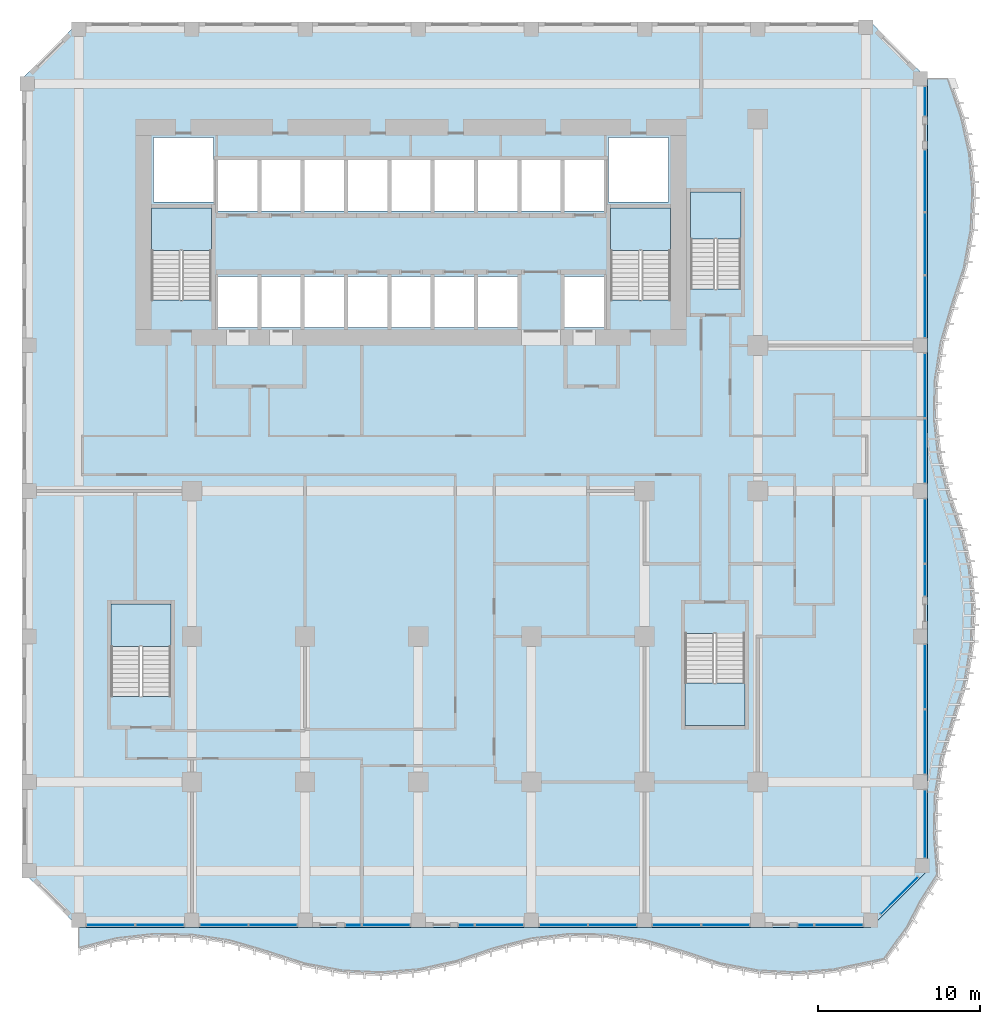
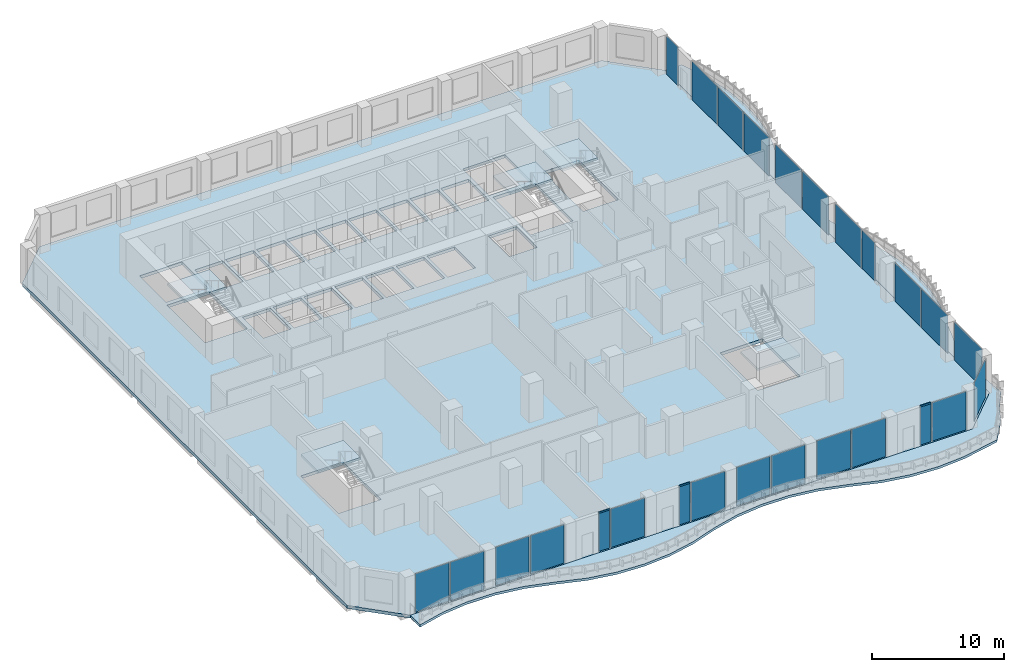
# One storey, part 11 of 21: 26 plates, 7 slabs, 3 members, 31 elements without a shape of their own.
"""IFC4 building model written with IfcOpenShell, lengths in metres."""

import ifcopenshell
import ifcopenshell.guid

model = None  # the IFC model being written
_history = None  # IfcOwnerHistory: only IFC2X3 demands one
_inside = {}  # id of a spatial element -> (the spatial element, [elements in it])
_under = {}  # id of a project, library or spatial element -> (it, [spatial elements below it])
_declared = {}  # id of a project -> (the project, [libraries it declares])
_typed = {}  # id of a type object -> (the type object, [elements of that type])
_made_of = {}  # id of a material, layer set ... -> (it, [elements and type objects made of it])


def new_model(schema):
    """Start an empty IFC model of exactly this schema.

    Asked for "IFC4X3", IfcOpenShell would pick the latest addendum, in which some entities
    have other attributes; the version numbers below select the first issue.
    IFC2X3 requires an IfcOwnerHistory on every rooted entity: one is made here for all.
    """
    global model, _history
    if schema == "IFC4X3":
        model = ifcopenshell.file(schema_version=(4, 3, 0, 0))
    else:
        model = ifcopenshell.file(schema=schema)
    _inside.clear()
    _under.clear()
    _declared.clear()
    _typed.clear()
    _made_of.clear()
    _history = None
    if model.schema == "IFC2X3":
        org = make("IfcOrganization", Name="unknown")
        user = make(
            "IfcPersonAndOrganization",
            ThePerson=make("IfcPerson", FamilyName="unknown"),
            TheOrganization=org,
        )
        app = make(
            "IfcApplication",
            ApplicationDeveloper=org,
            Version="unknown",
            ApplicationFullName="unknown",
            ApplicationIdentifier="unknown",
        )
        _history = make(
            "IfcOwnerHistory",
            OwningUser=user,
            OwningApplication=app,
            ChangeAction="ADDED",
            CreationDate=0,
        )
    return model


def make(cls, **values):
    """One entity of the class cls with the attributes given. An attribute that is None is left unset."""
    return model.create_entity(
        cls, **{name: value for name, value in values.items() if value is not None}
    )


def rooted(cls, **values):
    """An entity with a GlobalId (a new one), such as an element, a storey or a relation."""
    return make(cls, GlobalId=ifcopenshell.guid.new(), OwnerHistory=_history, **values)


def si_unit(unit_type, name, prefix=None):
    """IfcSIUnit, for example si_unit("LENGTHUNIT", "METRE", prefix="MILLI")."""
    return make("IfcSIUnit", UnitType=unit_type, Prefix=prefix, Name=name)


def assignment(units):
    """IfcUnitAssignment: the units of a project."""
    return None if units is None else make("IfcUnitAssignment", Units=units)


def point(xyz):
    """IfcCartesianPoint."""
    return None if xyz is None else make("IfcCartesianPoint", Coordinates=xyz)


def direction(xyz):
    """IfcDirection."""
    return None if xyz is None else make("IfcDirection", DirectionRatios=xyz)


def frame(location, z_axis=None, x_axis=None):
    """IfcAxis2Placement3D, a coordinate frame: its origin and axes. An axis left out is left unset."""
    return make(
        "IfcAxis2Placement3D",
        Location=point(location),
        Axis=direction(z_axis),
        RefDirection=direction(x_axis),
    )


def frame_2d(location, x_axis=None):
    """IfcAxis2Placement2D, a coordinate frame in the plane: its origin and x axis."""
    return make(
        "IfcAxis2Placement2D", Location=point(location), RefDirection=direction(x_axis)
    )


def origin():
    """The frame at (0, 0, 0) with its axes left unset."""
    return frame((0.0, 0.0, 0.0))


def origin_2d():
    """The frame at (0, 0) in the plane with its x axis left unset."""
    return frame_2d((0.0, 0.0))


def place(relative_to, where):
    """IfcLocalPlacement: puts the frame where relative to a parent placement (None: the world)."""
    return make(
        "IfcLocalPlacement", PlacementRelTo=relative_to, RelativePlacement=where
    )


def context(
    kind, dimensions, precision=None, world=None, true_north=None, identifier=None
):
    """IfcGeometricRepresentationContext, for example the 3D "Model" context."""
    return make(
        "IfcGeometricRepresentationContext",
        ContextIdentifier=identifier,
        ContextType=kind,
        CoordinateSpaceDimension=dimensions,
        Precision=precision,
        WorldCoordinateSystem=world,
        TrueNorth=true_north,
    )


def subcontext(parent, identifier, kind, view, scale=None):
    """IfcGeometricRepresentationSubContext, for example "Body" below "Model"."""
    return make(
        "IfcGeometricRepresentationSubContext",
        ContextIdentifier=identifier,
        ContextType=kind,
        ParentContext=parent,
        TargetScale=scale,
        TargetView=view,
    )


def project(units=None, contexts=None):
    """IfcProject with its units and contexts."""
    return rooted(
        "IfcProject",
        Name="project",
        RepresentationContexts=contexts,
        UnitsInContext=assignment(units),
    )


def spatial(cls, under=None, at=None, **own):
    """A site, building, storey or space (cls), placed at a placement, below another one or the project."""
    s = rooted(cls, ObjectPlacement=at, **own)
    if under is not None:
        _under.setdefault(under.id(), (under, []))[1].append(s)
    return s


def polyline(points):
    """IfcPolyline through the points."""
    return make("IfcPolyline", Points=[point(p) for p in points])


def profile(cls, at=None, kind="AREA", **sizes):
    """A parametric profile (cls). Its sizes go by their IFC names, for example OverallWidth=200.0."""
    return make(cls, ProfileType=kind, Position=at, **sizes)


def rectangle(**sizes):
    """IfcRectangleProfileDef."""
    return profile("IfcRectangleProfileDef", **sizes)


def outline(outer, holes=None, kind="AREA"):
    """IfcArbitraryClosedProfileDef: a profile drawn as a closed curve; with holes, ...WithVoids."""
    if holes is None:
        return make("IfcArbitraryClosedProfileDef", ProfileType=kind, OuterCurve=outer)
    return make(
        "IfcArbitraryProfileDefWithVoids",
        ProfileType=kind,
        OuterCurve=outer,
        InnerCurves=holes,
    )


def extrude(swept, where, along, depth):
    """IfcExtrudedAreaSolid: the profile swept, set in the frame where, extruded along a direction by depth."""
    return make(
        "IfcExtrudedAreaSolid",
        SweptArea=swept,
        Position=where,
        ExtrudedDirection=direction(along),
        Depth=depth,
    )


def shape(context_of_items, identifier, shape_type, items):
    """IfcShapeRepresentation: the items that make up one representation, for example the "Body"."""
    return make(
        "IfcShapeRepresentation",
        ContextOfItems=context_of_items,
        RepresentationIdentifier=identifier,
        RepresentationType=shape_type,
        Items=items,
    )


def source(mapping_origin, context_of_items, identifier, shape_type, items):
    """IfcRepresentationMap: a shape defined once, which mapped items show again and again."""
    return make(
        "IfcRepresentationMap",
        MappingOrigin=mapping_origin,
        MappedRepresentation=shape(context_of_items, identifier, shape_type, items),
    )


def transform(
    local_origin,
    x_axis=None,
    y_axis=None,
    z_axis=None,
    scale=None,
    scale2=None,
    scale3=None,
    uniform=True,
):
    """IfcCartesianTransformationOperator3D, or its non-uniform kind. x_axis, y_axis, z_axis: its Axis1, 2, 3."""
    if uniform:
        return make(
            "IfcCartesianTransformationOperator3D",
            Axis1=direction(x_axis),
            Axis2=direction(y_axis),
            LocalOrigin=point(local_origin),
            Scale=scale,
            Axis3=direction(z_axis),
        )
    return make(
        "IfcCartesianTransformationOperator3DnonUniform",
        Axis1=direction(x_axis),
        Axis2=direction(y_axis),
        LocalOrigin=point(local_origin),
        Scale=scale,
        Axis3=direction(z_axis),
        Scale2=scale2,
        Scale3=scale3,
    )


def mapped(mapping_source, mapping_target):
    """IfcMappedItem: shows the shape of a source again, moved by a transform."""
    return make(
        "IfcMappedItem", MappingSource=mapping_source, MappingTarget=mapping_target
    )


def material(Name=None, Category=None):
    """IfcMaterial."""
    return make("IfcMaterial", Name=Name, Category=Category)


def layer(
    of_material, thickness, ventilated=None, Name=None, Category=None, Priority=None
):
    """IfcMaterialLayer: one layer of a wall or slab, of a material (None: an air gap)."""
    return make(
        "IfcMaterialLayer",
        Material=of_material,
        LayerThickness=thickness,
        IsVentilated=ventilated,
        Name=Name,
        Category=Category,
        Priority=Priority,
    )


def layer_set(layers, Name=None):
    """IfcMaterialLayerSet."""
    return make("IfcMaterialLayerSet", MaterialLayers=layers, LayerSetName=Name)


def material_profile(
    of_material, cross_section, Name=None, Category=None, Priority=None
):
    """IfcMaterialProfile: a cross section and its material."""
    return make(
        "IfcMaterialProfile",
        Name=Name,
        Material=of_material,
        Profile=cross_section,
        Priority=Priority,
        Category=Category,
    )


def profile_set(profiles, Name=None, composite=None):
    """IfcMaterialProfileSet."""
    return make(
        "IfcMaterialProfileSet",
        Name=Name,
        MaterialProfiles=profiles,
        CompositeProfile=composite,
    )


def made_of(thing, what):
    """Note that an element or type object is made of a material, layer set ...; save() writes the relation."""
    if what is not None:
        _made_of.setdefault(what.id(), (what, []))[1].append(thing)
    return thing


def type_object(cls, material=None, **own):
    """A type object (cls), such as IfcWallType, which elements share."""
    return made_of(rooted(cls, **own), material)


def element(
    cls,
    number,
    at=None,
    inside=None,
    cuts=None,
    type_object=None,
    material=None,
    context=None,
    identifier="Body",
    shape_type=None,
    held_by="IfcProductDefinitionShape",
    body=None,
    shapes=None,
    **own,
):
    """One element of the class cls, such as IfcWall. Its Tag is "e" and its number.

    at: its placement. inside: the storey or other place that contains it. cuts: it is an
    opening in that element (IfcRelVoidsElement). A single representation is given by context,
    identifier, shape_type and body (its items); several are given by shapes. held_by: the class
    of the entity that holds the representations. save() writes the other relations.
    """
    e = rooted(cls, Tag="e%d" % number, ObjectPlacement=at, **own)
    if body is not None:
        shapes = [shape(context, identifier, shape_type, body)]
    if shapes is not None:
        e.Representation = make(held_by, Representations=shapes)
    if inside is not None:
        _inside.setdefault(inside.id(), (inside, []))[1].append(e)
    if cuts is not None:
        rooted(
            "IfcRelVoidsElement", RelatingBuildingElement=cuts, RelatedOpeningElement=e
        )
    if type_object is not None:
        _typed.setdefault(type_object.id(), (type_object, []))[1].append(e)
    return made_of(e, material)


def aggregate(whole, parts):
    """IfcRelAggregates: a whole, such as a stair, and the parts it consists of."""
    return rooted("IfcRelAggregates", RelatingObject=whole, RelatedObjects=parts)


def save(model, path):
    """Write the relations noted so far, then the file.

    IfcRelAggregates (storeys below a building ...), IfcRelContainedInSpatialStructure (elements
    in a storey), IfcRelDefinesByType, IfcRelAssociatesMaterial and IfcRelDeclares: one each for
    every whole, place, type object, material and project.
    """
    for whole, parts in _under.values():
        aggregate(whole, parts)
    for where, things in _inside.values():
        rooted(
            "IfcRelContainedInSpatialStructure",
            RelatedElements=things,
            RelatingStructure=where,
        )
    for kind, things in _typed.values():
        rooted("IfcRelDefinesByType", RelatedObjects=things, RelatingType=kind)
    for what, things in _made_of.values():
        rooted("IfcRelAssociatesMaterial", RelatedObjects=things, RelatingMaterial=what)
    for by, libraries in _declared.values():
        rooted("IfcRelDeclares", RelatingContext=by, RelatedDefinitions=libraries)
    model.write(path)


model = new_model("IFC4")

# Units and contexts
model_context = context("Model", 3, precision=1e-05, world=origin(), true_north=direction((0.0, 1.0)))
body_context = subcontext(model_context, "Body", "Model", "MODEL_VIEW")
ifc_project = project(units=[si_unit("LENGTHUNIT", "METRE"), si_unit("AREAUNIT", "SQUARE_METRE"), si_unit("VOLUMEUNIT", "CUBIC_METRE"), si_unit("PLANEANGLEUNIT", "RADIAN"), si_unit("MASSUNIT", "GRAM", prefix="KILO")], contexts=[model_context])

# Site, building, storey
site_placement = place(None, origin())
site = spatial("IfcSite", under=ifc_project, at=site_placement, CompositionType="ELEMENT")
building_placement = place(site_placement, origin())
building = spatial("IfcBuilding", under=site, at=building_placement, Name="Kilnfold Tower and Market Hall", CompositionType="ELEMENT")
storey_placement = place(building_placement, frame((0.0, 0.0, 91.199951171875)))
storey = spatial("IfcBuildingStorey", under=building, at=storey_placement, Name="L21", CompositionType="ELEMENT", Elevation=91.199951171875)

# Curtain wall, member
ifc_material_1 = material(Name="Aluminium and double glazing", Category="aluminium")
curtain_wall_type = type_object("IfcCurtainWallType", Name="CW OF1 VALLEY GLAZING", PredefinedType="NOTDEFINED", material=ifc_material_1)
curtain_wall_1_placement = place(storey_placement, origin())
curtain_wall_1 = element("IfcCurtainWall", 1, at=curtain_wall_1_placement, inside=storey, type_object=curtain_wall_type, Name="Curtain wall CW1 L21 S", PredefinedType="NOTDEFINED")
ifc_material_2 = material(Name="Aluminium", Category="aluminium")
ifc_material_profile = material_profile(ifc_material_2, rectangle(XDim=0.06005859375, YDim=0.139892578125, at=origin_2d()), Name="TRANSOM 60x140")
ifc_profile_set = profile_set([ifc_material_profile], Name="Aluminium")
member_type = type_object("IfcMemberType", Name="TRANSOM 60X140", PredefinedType="USERDEFINED", material=ifc_profile_set)
shared_shape_1 = source(origin(), body_context, "Body", "SweptSolid", [
    extrude(rectangle(XDim=0.06005859375, YDim=0.139892578125, at=origin_2d()), origin(), (0.0, 0.0, 1.0), 0.929931640625),
])
member_1_placement = place(storey_placement, frame((-2.989990234375, -27.85009765625, 3.570068359375), z_axis=(1.0, 0.0, 0.0), x_axis=(0.0, 1.0, 0.0)))
member_1 = element("IfcMember", 2, at=member_1_placement, type_object=member_type, Name="CW1 transom 1.2", ObjectType="TRANSOM", PredefinedType="USERDEFINED", context=body_context, shape_type="MappedRepresentation", body=[
    mapped(shared_shape_1, transform((0.0, 0.0, 0.0))),
])

curtain_wall_2_placement = place(storey_placement, origin())
curtain_wall_2 = element("IfcCurtainWall", 3, at=curtain_wall_2_placement, inside=storey, type_object=curtain_wall_type, Name="Curtain wall CW1 L21 S", PredefinedType="NOTDEFINED")
member_2_placement = place(storey_placement, frame((4.010009765625, -27.85009765625, 3.570068359375), z_axis=(1.0, 0.0, 0.0), x_axis=(0.0, 1.0, 0.0)))
member_2 = element("IfcMember", 4, at=member_2_placement, type_object=member_type, Name="CW1 transom 1.2", ObjectType="TRANSOM", PredefinedType="USERDEFINED", context=body_context, shape_type="MappedRepresentation", body=[
    mapped(shared_shape_1, transform((0.0, 0.0, 0.0))),
])

curtain_wall_3_placement = place(storey_placement, origin())
curtain_wall_3 = element("IfcCurtainWall", 5, at=curtain_wall_3_placement, inside=storey, type_object=curtain_wall_type, Name="Curtain wall CW1 L21 S", PredefinedType="NOTDEFINED")
member_3_placement = place(storey_placement, frame((25.010009765625, -27.85009765625, 3.570068359375), z_axis=(1.0, 0.0, 0.0), x_axis=(0.0, 1.0, 0.0)))
member_3 = element("IfcMember", 6, at=member_3_placement, type_object=member_type, Name="CW1 transom 1.2", ObjectType="TRANSOM", PredefinedType="USERDEFINED", context=body_context, shape_type="MappedRepresentation", body=[
    mapped(shared_shape_1, transform((0.0, 0.0, 0.0))),
])

# Slab
ifc_material_3 = material(Name="Concrete C45", Category="concrete")
ifc_layer_1 = layer(ifc_material_3, 0.280029296875)
ifc_layer_set_1 = layer_set([ifc_layer_1], Name="Concrete C45")
slab_type_1 = type_object("IfcSlabType", Name="FLOOR SLAB 280", PredefinedType="FLOOR", material=ifc_layer_set_1)
shared_shape_2 = source(origin(), body_context, "Body", "SweptSolid", [
    extrude(outline(polyline([(-19.5, -28.0), (29.5, -28.0), (33.0, -24.5), (33.0, 24.5), (29.5, 28.0), (-19.5, 28.0), (-23.0, 24.5), (-23.0, -24.5), (-19.5, -28.0)]), holes=[polyline([(-13.800537109375, -13.699462890625), (-17.49951171875, -13.699462890625), (-17.49951171875, -8.00048828125), (-13.800537109375, -8.00048828125), (-13.800537109375, -13.699462890625)]), polyline([(-14.99951171875, 10.800537109375), (-14.99951171875, 16.49951171875), (-11.300537109375, 16.49951171875), (-11.300537109375, 10.800537109375), (-14.99951171875, 10.800537109375)]), polyline([(-14.875, 16.875), (-14.875, 20.875), (-11.175048828125, 20.875), (-11.175048828125, 16.875), (-14.875, 16.875)]), polyline([(-10.885009765625, 9.125), (-10.885009765625, 12.27490234375), (-8.455078125, 12.27490234375), (-8.455078125, 9.125), (-10.885009765625, 9.125)]), polyline([(-8.455078125, 16.324951171875), (-10.885009765625, 16.324951171875), (-10.885009765625, 19.47509765625), (-8.455078125, 19.47509765625), (-8.455078125, 16.324951171875)]), polyline([(-8.205078125, 9.125), (-8.205078125, 12.27490234375), (-5.77490234375, 12.27490234375), (-5.77490234375, 9.125), (-8.205078125, 9.125)]), polyline([(-8.205078125, 16.324951171875), (-8.205078125, 19.47509765625), (-5.77490234375, 19.47509765625), (-5.77490234375, 16.324951171875), (-8.205078125, 16.324951171875)]), polyline([(-3.094970703125, 9.125), (-5.52490234375, 9.125), (-5.52490234375, 12.27490234375), (-3.094970703125, 12.27490234375), (-3.094970703125, 9.125)]), polyline([(-5.52490234375, 16.324951171875), (-5.52490234375, 19.47509765625), (-3.094970703125, 19.47509765625), (-3.094970703125, 16.324951171875), (-5.52490234375, 16.324951171875)]), polyline([(-2.844970703125, 9.125), (-2.844970703125, 12.27490234375), (-0.4150390625, 12.27490234375), (-0.4150390625, 9.125), (-2.844970703125, 9.125)]), polyline([(-0.4150390625, 16.324951171875), (-2.844970703125, 16.324951171875), (-2.844970703125, 19.47509765625), (-0.4150390625, 19.47509765625), (-0.4150390625, 16.324951171875)]), polyline([(-0.1650390625, 9.125), (-0.1650390625, 12.27490234375), (2.264892578125, 12.27490234375), (2.264892578125, 9.125), (-0.1650390625, 9.125)]), polyline([(-0.1650390625, 16.324951171875), (-0.1650390625, 19.47509765625), (2.264892578125, 19.47509765625), (2.264892578125, 16.324951171875), (-0.1650390625, 16.324951171875)]), polyline([(2.514892578125, 9.125), (2.514892578125, 12.27490234375), (4.945068359375, 12.27490234375), (4.945068359375, 9.125), (2.514892578125, 9.125)]), polyline([(2.514892578125, 16.324951171875), (2.514892578125, 19.47509765625), (4.945068359375, 19.47509765625), (4.945068359375, 16.324951171875), (2.514892578125, 16.324951171875)]), polyline([(7.625, 9.125), (5.195068359375, 9.125), (5.195068359375, 12.27490234375), (7.625, 12.27490234375), (7.625, 9.125)]), polyline([(5.195068359375, 16.324951171875), (5.195068359375, 19.47509765625), (7.625, 19.47509765625), (7.625, 16.324951171875), (5.195068359375, 16.324951171875)]), polyline([(10.304931640625, 16.324951171875), (7.875, 16.324951171875), (7.875, 19.47509765625), (10.304931640625, 19.47509765625), (10.304931640625, 16.324951171875)]), polyline([(10.554931640625, 9.125), (10.554931640625, 12.27490234375), (12.985107421875, 12.27490234375), (12.985107421875, 9.125), (10.554931640625, 9.125)]), polyline([(10.554931640625, 16.324951171875), (10.554931640625, 19.47509765625), (12.985107421875, 19.47509765625), (12.985107421875, 16.324951171875), (10.554931640625, 16.324951171875)]), polyline([(13.27490234375, 16.875), (13.27490234375, 20.875), (16.97509765625, 20.875), (16.97509765625, 16.875), (13.27490234375, 16.875)]), polyline([(13.400390625, 10.800537109375), (13.400390625, 16.49951171875), (17.099609375, 16.49951171875), (17.099609375, 10.800537109375), (13.400390625, 10.800537109375)]), polyline([(18.00048828125, -9.800537109375), (21.699462890625, -9.800537109375), (21.699462890625, -15.49951171875), (18.00048828125, -15.49951171875), (18.00048828125, -9.800537109375)]), polyline([(21.449462890625, 11.50048828125), (18.3505859375, 11.50048828125), (18.3505859375, 17.49951171875), (21.449462890625, 17.49951171875), (21.449462890625, 11.50048828125)])]), origin(), (0.0, 0.0, 1.0), 0.280029296875),
])
slab_1_placement = place(storey_placement, frame((0.0, 0.0, -0.280029296875)))
element("IfcSlab", 7, at=slab_1_placement, inside=storey, type_object=slab_type_1, Name="Floor slab L21", PredefinedType="FLOOR", context=body_context, shape_type="MappedRepresentation", body=[
    mapped(shared_shape_2, transform((0.0, 0.0, 0.0))),
])

# Plate
ifc_material_4 = material(Name="Double glazed unit")
ifc_layer_2 = layer(ifc_material_4, 0.031982421875)
ifc_layer_set_2 = layer_set([ifc_layer_2], Name="Double glazed unit")
plate_type = type_object("IfcPlateType", Name="GLAZING PANEL 32", PredefinedType="CURTAIN_PANEL", material=ifc_layer_set_2)
shared_shape_3 = source(origin(), body_context, "Body", "SweptSolid", [
    extrude(rectangle(XDim=0.929931640625, YDim=0.031982421875, at=origin_2d()), origin(), (0.0, 0.0, 1.0), 3.5400390625),
])
plate_1_placement = place(storey_placement, frame((-2.52490234375, -27.85009765625, 0.0), z_axis=(0.0, 0.0, 1.0), x_axis=(1.0, 0.0, 0.0)))
plate_1 = element("IfcPlate", 8, at=plate_1_placement, type_object=plate_type, Name="CW1 panel 1.1", PredefinedType="CURTAIN_PANEL", context=body_context, shape_type="MappedRepresentation", body=[
    mapped(shared_shape_3, transform((0.0, 0.0, 0.0))),
])

aggregate(curtain_wall_1, [member_1, plate_1])

plate_2_placement = place(storey_placement, frame((4.47509765625, -27.85009765625, 0.0), z_axis=(0.0, 0.0, 1.0), x_axis=(1.0, 0.0, 0.0)))
plate_2 = element("IfcPlate", 9, at=plate_2_placement, type_object=plate_type, Name="CW1 panel 1.1", PredefinedType="CURTAIN_PANEL", context=body_context, shape_type="MappedRepresentation", body=[
    mapped(shared_shape_3, transform((0.0, 0.0, 0.0))),
])

aggregate(curtain_wall_2, [member_2, plate_2])

plate_3_placement = place(storey_placement, frame((25.47509765625, -27.85009765625, 0.0), z_axis=(0.0, 0.0, 1.0), x_axis=(1.0, 0.0, 0.0)))
plate_3 = element("IfcPlate", 10, at=plate_3_placement, type_object=plate_type, Name="CW1 panel 1.1", PredefinedType="CURTAIN_PANEL", context=body_context, shape_type="MappedRepresentation", body=[
    mapped(shared_shape_3, transform((0.0, 0.0, 0.0))),
])

aggregate(curtain_wall_3, [member_3, plate_3])

# Curtain wall, plate
curtain_wall_4_placement = place(storey_placement, origin())
curtain_wall_4 = element("IfcCurtainWall", 11, at=curtain_wall_4_placement, inside=storey, type_object=curtain_wall_type, Name="Curtain wall CW1 L21 S", PredefinedType="NOTDEFINED")
shared_shape_4 = source(origin(), body_context, "Body", "SweptSolid", [
    extrude(rectangle(XDim=2.929931640625, YDim=0.031982421875, at=origin_2d()), origin(), (0.0, 0.0, 1.0), 3.5400390625),
])
plate_4_placement = place(storey_placement, frame((-17.52490234375, -27.85009765625, 0.0), z_axis=(0.0, 0.0, 1.0), x_axis=(1.0, 0.0, 0.0)))
plate_4 = element("IfcPlate", 12, at=plate_4_placement, type_object=plate_type, Name="CW1 panel 1.1", PredefinedType="CURTAIN_PANEL", context=body_context, shape_type="MappedRepresentation", body=[
    mapped(shared_shape_4, transform((0.0, 0.0, 0.0))),
])
aggregate(curtain_wall_4, [plate_4])

curtain_wall_5_placement = place(storey_placement, origin())
curtain_wall_5 = element("IfcCurtainWall", 13, at=curtain_wall_5_placement, inside=storey, type_object=curtain_wall_type, Name="Curtain wall CW1 L21 S", PredefinedType="NOTDEFINED")
plate_5_placement = place(storey_placement, frame((-14.47509765625, -27.85009765625, 0.0), z_axis=(0.0, 0.0, 1.0), x_axis=(1.0, 0.0, 0.0)))
plate_5 = element("IfcPlate", 14, at=plate_5_placement, type_object=plate_type, Name="CW1 panel 1.1", PredefinedType="CURTAIN_PANEL", context=body_context, shape_type="MappedRepresentation", body=[
    mapped(shared_shape_4, transform((0.0, 0.0, 0.0))),
])
aggregate(curtain_wall_5, [plate_5])

curtain_wall_6_placement = place(storey_placement, origin())
curtain_wall_6 = element("IfcCurtainWall", 15, at=curtain_wall_6_placement, inside=storey, type_object=curtain_wall_type, Name="Curtain wall CW1 L21 S", PredefinedType="NOTDEFINED")
plate_6_placement = place(storey_placement, frame((-10.52490234375, -27.85009765625, 0.0), z_axis=(0.0, 0.0, 1.0), x_axis=(1.0, 0.0, 0.0)))
plate_6 = element("IfcPlate", 16, at=plate_6_placement, type_object=plate_type, Name="CW1 panel 1.1", PredefinedType="CURTAIN_PANEL", context=body_context, shape_type="MappedRepresentation", body=[
    mapped(shared_shape_4, transform((0.0, 0.0, 0.0))),
])
aggregate(curtain_wall_6, [plate_6])

curtain_wall_7_placement = place(storey_placement, origin())
curtain_wall_7 = element("IfcCurtainWall", 17, at=curtain_wall_7_placement, inside=storey, type_object=curtain_wall_type, Name="Curtain wall CW1 L21 S", PredefinedType="NOTDEFINED")
plate_7_placement = place(storey_placement, frame((-7.47509765625, -27.85009765625, 0.0), z_axis=(0.0, 0.0, 1.0), x_axis=(1.0, 0.0, 0.0)))
plate_7 = element("IfcPlate", 18, at=plate_7_placement, type_object=plate_type, Name="CW1 panel 1.1", PredefinedType="CURTAIN_PANEL", context=body_context, shape_type="MappedRepresentation", body=[
    mapped(shared_shape_4, transform((0.0, 0.0, 0.0))),
])
aggregate(curtain_wall_7, [plate_7])

curtain_wall_8_placement = place(storey_placement, origin())
curtain_wall_8 = element("IfcCurtainWall", 19, at=curtain_wall_8_placement, inside=storey, type_object=curtain_wall_type, Name="Curtain wall CW1 L21 S", PredefinedType="NOTDEFINED")
plate_8_placement = place(storey_placement, frame((-0.47509765625, -27.85009765625, 0.0), z_axis=(0.0, 0.0, 1.0), x_axis=(1.0, 0.0, 0.0)))
plate_8 = element("IfcPlate", 20, at=plate_8_placement, type_object=plate_type, Name="CW1 panel 1.1", PredefinedType="CURTAIN_PANEL", context=body_context, shape_type="MappedRepresentation", body=[
    mapped(shared_shape_4, transform((0.0, 0.0, 0.0))),
])
aggregate(curtain_wall_8, [plate_8])

curtain_wall_9_placement = place(storey_placement, origin())
curtain_wall_9 = element("IfcCurtainWall", 21, at=curtain_wall_9_placement, inside=storey, type_object=curtain_wall_type, Name="Curtain wall CW1 L21 S", PredefinedType="NOTDEFINED")
plate_9_placement = place(storey_placement, frame((6.52490234375, -27.85009765625, 0.0), z_axis=(0.0, 0.0, 1.0), x_axis=(1.0, 0.0, 0.0)))
plate_9 = element("IfcPlate", 22, at=plate_9_placement, type_object=plate_type, Name="CW1 panel 1.1", PredefinedType="CURTAIN_PANEL", context=body_context, shape_type="MappedRepresentation", body=[
    mapped(shared_shape_4, transform((0.0, 0.0, 0.0))),
])
aggregate(curtain_wall_9, [plate_9])

curtain_wall_10_placement = place(storey_placement, origin())
curtain_wall_10 = element("IfcCurtainWall", 23, at=curtain_wall_10_placement, inside=storey, type_object=curtain_wall_type, Name="Curtain wall CW1 L21 S", PredefinedType="NOTDEFINED")
plate_10_placement = place(storey_placement, frame((10.47509765625, -27.85009765625, 0.0), z_axis=(0.0, 0.0, 1.0), x_axis=(1.0, 0.0, 0.0)))
plate_10 = element("IfcPlate", 24, at=plate_10_placement, type_object=plate_type, Name="CW1 panel 1.1", PredefinedType="CURTAIN_PANEL", context=body_context, shape_type="MappedRepresentation", body=[
    mapped(shared_shape_4, transform((0.0, 0.0, 0.0))),
])
aggregate(curtain_wall_10, [plate_10])

curtain_wall_11_placement = place(storey_placement, origin())
curtain_wall_11 = element("IfcCurtainWall", 25, at=curtain_wall_11_placement, inside=storey, type_object=curtain_wall_type, Name="Curtain wall CW1 L21 S", PredefinedType="NOTDEFINED")
plate_11_placement = place(storey_placement, frame((13.52490234375, -27.85009765625, 0.0), z_axis=(0.0, 0.0, 1.0), x_axis=(1.0, 0.0, 0.0)))
plate_11 = element("IfcPlate", 26, at=plate_11_placement, type_object=plate_type, Name="CW1 panel 1.1", PredefinedType="CURTAIN_PANEL", context=body_context, shape_type="MappedRepresentation", body=[
    mapped(shared_shape_4, transform((0.0, 0.0, 0.0))),
])
aggregate(curtain_wall_11, [plate_11])

curtain_wall_12_placement = place(storey_placement, origin())
curtain_wall_12 = element("IfcCurtainWall", 27, at=curtain_wall_12_placement, inside=storey, type_object=curtain_wall_type, Name="Curtain wall CW1 L21 S", PredefinedType="NOTDEFINED")
plate_12_placement = place(storey_placement, frame((17.47509765625, -27.85009765625, 0.0), z_axis=(0.0, 0.0, 1.0), x_axis=(1.0, 0.0, 0.0)))
plate_12 = element("IfcPlate", 28, at=plate_12_placement, type_object=plate_type, Name="CW1 panel 1.1", PredefinedType="CURTAIN_PANEL", context=body_context, shape_type="MappedRepresentation", body=[
    mapped(shared_shape_4, transform((0.0, 0.0, 0.0))),
])
aggregate(curtain_wall_12, [plate_12])

curtain_wall_13_placement = place(storey_placement, origin())
curtain_wall_13 = element("IfcCurtainWall", 29, at=curtain_wall_13_placement, inside=storey, type_object=curtain_wall_type, Name="Curtain wall CW1 L21 S", PredefinedType="NOTDEFINED")
plate_13_placement = place(storey_placement, frame((20.52490234375, -27.85009765625, 0.0), z_axis=(0.0, 0.0, 1.0), x_axis=(1.0, 0.0, 0.0)))
plate_13 = element("IfcPlate", 30, at=plate_13_placement, type_object=plate_type, Name="CW1 panel 1.1", PredefinedType="CURTAIN_PANEL", context=body_context, shape_type="MappedRepresentation", body=[
    mapped(shared_shape_4, transform((0.0, 0.0, 0.0))),
])
aggregate(curtain_wall_13, [plate_13])

curtain_wall_14_placement = place(storey_placement, origin())
curtain_wall_14 = element("IfcCurtainWall", 31, at=curtain_wall_14_placement, inside=storey, type_object=curtain_wall_type, Name="Curtain wall CW1 L21 S", PredefinedType="NOTDEFINED")
plate_14_placement = place(storey_placement, frame((27.52490234375, -27.85009765625, 0.0), z_axis=(0.0, 0.0, 1.0), x_axis=(1.0, 0.0, 0.0)))
plate_14 = element("IfcPlate", 32, at=plate_14_placement, type_object=plate_type, Name="CW1 panel 1.1", PredefinedType="CURTAIN_PANEL", context=body_context, shape_type="MappedRepresentation", body=[
    mapped(shared_shape_4, transform((0.0, 0.0, 0.0))),
])
aggregate(curtain_wall_14, [plate_14])

curtain_wall_15_placement = place(storey_placement, origin())
curtain_wall_15 = element("IfcCurtainWall", 33, at=curtain_wall_15_placement, inside=storey, type_object=curtain_wall_type, Name="Curtain wall CW1 L21 E", PredefinedType="NOTDEFINED")
shared_shape_5 = source(origin(), body_context, "Body", "SweptSolid", [
    extrude(rectangle(XDim=3.929931640625, YDim=0.031982421875, at=origin_2d()), origin(), (0.0, 0.0, 1.0), 3.5400390625),
])
plate_15_placement = place(storey_placement, frame((32.85009765625, -16.52490234375, 0.0), z_axis=(0.0, 0.0, 1.0), x_axis=(0.0, 1.0, 0.0)))
plate_15 = element("IfcPlate", 34, at=plate_15_placement, type_object=plate_type, Name="CW1 panel 1.1", PredefinedType="CURTAIN_PANEL", context=body_context, shape_type="MappedRepresentation", body=[
    mapped(shared_shape_5, transform((0.0, 0.0, 0.0))),
])
aggregate(curtain_wall_15, [plate_15])

curtain_wall_16_placement = place(storey_placement, origin())
curtain_wall_16 = element("IfcCurtainWall", 35, at=curtain_wall_16_placement, inside=storey, type_object=curtain_wall_type, Name="Curtain wall CW1 L21 E", PredefinedType="NOTDEFINED")
plate_16_placement = place(storey_placement, frame((32.85009765625, -12.47509765625, 0.0), z_axis=(0.0, 0.0, 1.0), x_axis=(0.0, 1.0, 0.0)))
plate_16 = element("IfcPlate", 36, at=plate_16_placement, type_object=plate_type, Name="CW1 panel 1.1", PredefinedType="CURTAIN_PANEL", context=body_context, shape_type="MappedRepresentation", body=[
    mapped(shared_shape_5, transform((0.0, 0.0, 0.0))),
])
aggregate(curtain_wall_16, [plate_16])

curtain_wall_17_placement = place(storey_placement, origin())
curtain_wall_17 = element("IfcCurtainWall", 37, at=curtain_wall_17_placement, inside=storey, type_object=curtain_wall_type, Name="Curtain wall CW1 L21 E", PredefinedType="NOTDEFINED")
plate_17_placement = place(storey_placement, frame((32.85009765625, -3.47509765625, 0.0), z_axis=(0.0, 0.0, 1.0), x_axis=(0.0, 1.0, 0.0)))
plate_17 = element("IfcPlate", 38, at=plate_17_placement, type_object=plate_type, Name="CW1 panel 1.1", PredefinedType="CURTAIN_PANEL", context=body_context, shape_type="MappedRepresentation", body=[
    mapped(shared_shape_5, transform((0.0, 0.0, 0.0))),
])
aggregate(curtain_wall_17, [plate_17])

curtain_wall_18_placement = place(storey_placement, origin())
curtain_wall_18 = element("IfcCurtainWall", 39, at=curtain_wall_18_placement, inside=storey, type_object=curtain_wall_type, Name="Curtain wall CW1 L21 E", PredefinedType="NOTDEFINED")
plate_18_placement = place(storey_placement, frame((32.85009765625, 1.47509765625, 0.0), z_axis=(0.0, 0.0, 1.0), x_axis=(0.0, 1.0, 0.0)))
plate_18 = element("IfcPlate", 40, at=plate_18_placement, type_object=plate_type, Name="CW1 panel 1.1", PredefinedType="CURTAIN_PANEL", context=body_context, shape_type="MappedRepresentation", body=[
    mapped(shared_shape_5, transform((0.0, 0.0, 0.0))),
])
aggregate(curtain_wall_18, [plate_18])

curtain_wall_19_placement = place(storey_placement, origin())
curtain_wall_19 = element("IfcCurtainWall", 41, at=curtain_wall_19_placement, inside=storey, type_object=curtain_wall_type, Name="Curtain wall CW1 L21 E", PredefinedType="NOTDEFINED")
plate_19_placement = place(storey_placement, frame((32.85009765625, 5.52490234375, 0.0), z_axis=(0.0, 0.0, 1.0), x_axis=(0.0, 1.0, 0.0)))
plate_19 = element("IfcPlate", 42, at=plate_19_placement, type_object=plate_type, Name="CW1 panel 1.1", PredefinedType="CURTAIN_PANEL", context=body_context, shape_type="MappedRepresentation", body=[
    mapped(shared_shape_5, transform((0.0, 0.0, 0.0))),
])
aggregate(curtain_wall_19, [plate_19])

curtain_wall_20_placement = place(storey_placement, origin())
curtain_wall_20 = element("IfcCurtainWall", 43, at=curtain_wall_20_placement, inside=storey, type_object=curtain_wall_type, Name="Curtain wall CW1 L21 E", PredefinedType="NOTDEFINED")
shared_shape_6 = source(origin(), body_context, "Body", "SweptSolid", [
    extrude(rectangle(XDim=1.929931640625, YDim=0.031982421875, at=origin_2d()), origin(), (0.0, 0.0, 1.0), 3.5400390625),
])
plate_20_placement = place(storey_placement, frame((32.85009765625, -6.52490234375, 0.0), z_axis=(0.0, 0.0, 1.0), x_axis=(0.0, 1.0, 0.0)))
plate_20 = element("IfcPlate", 44, at=plate_20_placement, type_object=plate_type, Name="CW1 panel 1.1", PredefinedType="CURTAIN_PANEL", context=body_context, shape_type="MappedRepresentation", body=[
    mapped(shared_shape_6, transform((0.0, 0.0, 0.0))),
])
aggregate(curtain_wall_20, [plate_20])

curtain_wall_21_placement = place(storey_placement, origin())
curtain_wall_21 = element("IfcCurtainWall", 45, at=curtain_wall_21_placement, inside=storey, type_object=curtain_wall_type, Name="Curtain wall CW1 L21 E", PredefinedType="NOTDEFINED")
shared_shape_7 = source(origin(), body_context, "Body", "SweptSolid", [
    extrude(rectangle(XDim=3.780029296875, YDim=0.031982421875, at=origin_2d()), origin(), (0.0, 0.0, 1.0), 3.5400390625),
])
plate_21_placement = place(storey_placement, frame((32.85009765625, 10.39990234375, 0.0), z_axis=(0.0, 0.0, 1.0), x_axis=(0.0, 1.0, 0.0)))
plate_21 = element("IfcPlate", 46, at=plate_21_placement, type_object=plate_type, Name="CW1 panel 1.1", PredefinedType="CURTAIN_PANEL", context=body_context, shape_type="MappedRepresentation", body=[
    mapped(shared_shape_7, transform((0.0, 0.0, 0.0))),
])
aggregate(curtain_wall_21, [plate_21])

curtain_wall_22_placement = place(storey_placement, origin())
curtain_wall_22 = element("IfcCurtainWall", 47, at=curtain_wall_22_placement, inside=storey, type_object=curtain_wall_type, Name="Curtain wall CW1 L21 E", PredefinedType="NOTDEFINED")
plate_22_placement = place(storey_placement, frame((32.85009765625, 14.300048828125, 0.0), z_axis=(0.0, 0.0, 1.0), x_axis=(0.0, 1.0, 0.0)))
plate_22 = element("IfcPlate", 48, at=plate_22_placement, type_object=plate_type, Name="CW1 panel 1.1", PredefinedType="CURTAIN_PANEL", context=body_context, shape_type="MappedRepresentation", body=[
    mapped(shared_shape_7, transform((0.0, 0.0, 0.0))),
])
aggregate(curtain_wall_22, [plate_22])

curtain_wall_23_placement = place(storey_placement, origin())
curtain_wall_23 = element("IfcCurtainWall", 49, at=curtain_wall_23_placement, inside=storey, type_object=curtain_wall_type, Name="Curtain wall CW1 L21 E", PredefinedType="NOTDEFINED")
plate_23_placement = place(storey_placement, frame((32.85009765625, 18.199951171875, 0.0), z_axis=(0.0, 0.0, 1.0), x_axis=(0.0, 1.0, 0.0)))
plate_23 = element("IfcPlate", 50, at=plate_23_placement, type_object=plate_type, Name="CW1 panel 1.1", PredefinedType="CURTAIN_PANEL", context=body_context, shape_type="MappedRepresentation", body=[
    mapped(shared_shape_7, transform((0.0, 0.0, 0.0))),
])
aggregate(curtain_wall_23, [plate_23])

curtain_wall_24_placement = place(storey_placement, origin())
curtain_wall_24 = element("IfcCurtainWall", 51, at=curtain_wall_24_placement, inside=storey, type_object=curtain_wall_type, Name="Curtain wall CW1 L21 E", PredefinedType="NOTDEFINED")
shared_shape_8 = source(origin(), body_context, "Body", "SweptSolid", [
    extrude(rectangle(XDim=1.780029296875, YDim=0.031982421875, at=origin_2d()), origin(), (0.0, 0.0, 1.0), 3.5400390625),
])
plate_24_placement = place(storey_placement, frame((32.85009765625, 23.10009765625, 0.0), z_axis=(0.0, 0.0, 1.0), x_axis=(0.0, 1.0, 0.0)))
plate_24 = element("IfcPlate", 52, at=plate_24_placement, type_object=plate_type, Name="CW1 panel 1.1", PredefinedType="CURTAIN_PANEL", context=body_context, shape_type="MappedRepresentation", body=[
    mapped(shared_shape_8, transform((0.0, 0.0, 0.0))),
])
aggregate(curtain_wall_24, [plate_24])

curtain_wall_25_placement = place(storey_placement, origin())
curtain_wall_25 = element("IfcCurtainWall", 53, at=curtain_wall_25_placement, inside=storey, type_object=curtain_wall_type, Name="Curtain wall CW1 L21 SE", PredefinedType="NOTDEFINED")
shared_shape_9 = source(origin(), body_context, "Body", "SweptSolid", [
    extrude(rectangle(XDim=3.23876953125, YDim=0.031982421875, at=origin_2d()), origin(), (0.0, 0.0, 1.0), 3.5400390625),
])
plate_25_placement = place(storey_placement, frame((31.25634765625, -26.031494140625, 0.0), z_axis=(0.0, 0.0, 1.0), x_axis=(0.707121667181, 0.707091894879, 0.0)))
plate_25 = element("IfcPlate", 54, at=plate_25_placement, type_object=plate_type, Name="CW1 panel 1.1", PredefinedType="CURTAIN_PANEL", context=body_context, shape_type="MappedRepresentation", body=[
    mapped(shared_shape_9, transform((0.0, 0.0, 0.0))),
])
aggregate(curtain_wall_25, [plate_25])

curtain_wall_26_placement = place(storey_placement, origin())
curtain_wall_26 = element("IfcCurtainWall", 55, at=curtain_wall_26_placement, inside=storey, type_object=curtain_wall_type, Name="Curtain wall CW1 L21 E", PredefinedType="NOTDEFINED")
shared_shape_10 = source(origin(), body_context, "Body", "SweptSolid", [
    extrude(rectangle(XDim=4.161865234375, YDim=0.031982421875, at=origin_2d()), origin(), (0.0, 0.0, 1.0), 3.5400390625),
])
plate_26_placement = place(storey_placement, frame((32.85009765625, -21.5908203125, 0.0), z_axis=(0.0, 0.0, 1.0), x_axis=(0.0, 1.0, 0.0)))
plate_26 = element("IfcPlate", 56, at=plate_26_placement, type_object=plate_type, Name="CW1 panel 1.1", PredefinedType="CURTAIN_PANEL", context=body_context, shape_type="MappedRepresentation", body=[
    mapped(shared_shape_10, transform((0.0, 0.0, 0.0))),
])
aggregate(curtain_wall_26, [plate_26])

# Slab
ifc_material_5 = material(Name="Concrete C40/50", Category="concrete")
ifc_layer_3 = layer(ifc_material_5, 0.219970703125)
ifc_layer_set_3 = layer_set([ifc_layer_3], Name="Concrete C40/50")
slab_type_2 = type_object("IfcSlabType", Name="BALCONY SLAB 220", PredefinedType="FLOOR", material=ifc_layer_set_3)
shared_shape_11 = source(origin(), body_context, "Body", "SweptSolid", [
    extrude(outline(polyline([(-19.5, -28.0), (29.5, -28.0), (33.0, -24.5), (33.0, 24.5), (34.473388671875, 24.5), (35.279541015625, 22.166748046875), (35.796630859375, 19.833251953125), (35.99658203125, 17.5), (35.889892578125, 15.166748046875), (35.47119140625, 12.833251953125), (34.719482421875, 10.5), (34.02880859375, 8.166748046875), (33.66796875, 5.833251953125), (33.616943359375, 3.5), (33.873291015625, 1.166748046875), (34.450439453125, -1.166748046875), (35.258544921875, -3.5), (35.78564453125, -5.833251953125), (35.9951171875, -8.166748046875), (35.897705078125, -10.5), (35.488525390625, -12.833251953125), (34.74609375, -15.166748046875), (34.044677734375, -17.5), (33.67431640625, -19.833251953125), (33.614013671875, -22.166748046875), (33.79541015625, -24.829345703125), (32.701171875, -26.534423828125), (31.9140625, -28.08056640625), (30.387939453125, -30.143798828125), (27.166748046875, -30.817626953125), (24.833251953125, -30.998779296875), (22.5, -30.87353515625), (20.166748046875, -30.435302734375), (17.833251953125, -29.66748046875), (15.5, -28.997802734375), (13.166748046875, -28.656005859375), (10.833251953125, -28.623779296875), (8.5, -28.898681640625), (6.166748046875, -29.49658203125), (3.833251953125, -30.300048828125), (1.5, -30.807373046875), (-0.833251953125, -30.997802734375), (-3.166748046875, -30.8818359375), (-5.5, -30.453369140625), (-7.833251953125, -29.693359375), (-10.166748046875, -29.01318359375), (-12.5, -28.661865234375), (-14.833251953125, -28.6201171875), (-17.166748046875, -28.885986328125), (-19.5, -29.473388671875), (-19.5, -28.0)])), origin(), (0.0, 0.0, 1.0), 0.219970703125),
])
slab_2_placement = place(storey_placement, frame((0.0, 0.0, -0.219970703125)))
element("IfcSlab", 57, at=slab_2_placement, inside=storey, type_object=slab_type_2, Name="Balcony slab L21", PredefinedType="FLOOR", context=body_context, shape_type="MappedRepresentation", body=[
    mapped(shared_shape_11, transform((0.0, 0.0, 0.0))),
])

# Stair, slab
ifc_material_6 = material(Name="Concrete C40/50", Category="concrete")
stair_type_1 = type_object("IfcStairType", Name="CORE STAIR 1800", PredefinedType="HALF_TURN_STAIR", material=ifc_material_6)
stair_1_placement = place(storey_placement, origin())
stair_1 = element("IfcStair", 58, at=stair_1_placement, inside=storey, type_object=stair_type_1, Name="L21 ST1", PredefinedType="HALF_TURN_STAIR")
ifc_material_7 = material(Name="Concrete C40/50", Category="concrete")
ifc_layer_4 = layer(ifc_material_7, 0.199951171875)
ifc_layer_set_4 = layer_set([ifc_layer_4], Name="Concrete C40/50")
slab_type_3 = type_object("IfcSlabType", Name="CORE STAIR LANDING 200", PredefinedType="LANDING", material=ifc_layer_set_4)
shared_shape_12 = source(origin(), body_context, "Body", "SweptSolid", [
    extrude(outline(polyline([(-11.300048828125, 13.8798828125), (-11.300048828125, 16.5), (-15.0, 16.5), (-15.0, 13.8798828125), (-11.300048828125, 13.8798828125)])), origin(), (0.0, 0.0, 1.0), 0.199951171875),
])
slab_3_placement = place(storey_placement, frame((0.0, 0.0, 1.800048828125)))
slab_3 = element("IfcSlab", 59, at=slab_3_placement, type_object=slab_type_3, Name="ST1 landing 1", PredefinedType="LANDING", context=body_context, shape_type="MappedRepresentation", body=[
    mapped(shared_shape_12, transform((0.0, 0.0, 0.0))),
])
aggregate(stair_1, [slab_3])

stair_2_placement = place(storey_placement, origin())
stair_2 = element("IfcStair", 60, at=stair_2_placement, inside=storey, type_object=stair_type_1, Name="L21 ST2", PredefinedType="HALF_TURN_STAIR")
shared_shape_13 = source(origin(), body_context, "Body", "SweptSolid", [
    extrude(outline(polyline([(17.10009765625, 13.8798828125), (17.10009765625, 16.5), (13.39990234375, 16.5), (13.39990234375, 13.8798828125), (17.10009765625, 13.8798828125)])), origin(), (0.0, 0.0, 1.0), 0.199951171875),
])
slab_4_placement = place(storey_placement, frame((0.0, 0.0, 1.800048828125)))
slab_4 = element("IfcSlab", 61, at=slab_4_placement, type_object=slab_type_3, Name="ST2 landing 1", PredefinedType="LANDING", context=body_context, shape_type="MappedRepresentation", body=[
    mapped(shared_shape_13, transform((0.0, 0.0, 0.0))),
])
aggregate(stair_2, [slab_4])

stair_3_placement = place(storey_placement, origin())
stair_3 = element("IfcStair", 62, at=stair_3_placement, inside=storey, type_object=stair_type_1, Name="L21 ST3", PredefinedType="HALF_TURN_STAIR")
shared_shape_14 = source(origin(), body_context, "Body", "SweptSolid", [
    extrude(outline(polyline([(-13.800048828125, -10.6201171875), (-13.800048828125, -8.0), (-17.5, -8.0), (-17.5, -10.6201171875), (-13.800048828125, -10.6201171875)])), origin(), (0.0, 0.0, 1.0), 0.199951171875),
])
slab_5_placement = place(storey_placement, frame((0.0, 0.0, 1.800048828125)))
slab_5 = element("IfcSlab", 63, at=slab_5_placement, type_object=slab_type_3, Name="ST3 landing 1", PredefinedType="LANDING", context=body_context, shape_type="MappedRepresentation", body=[
    mapped(shared_shape_14, transform((0.0, 0.0, 0.0))),
])
aggregate(stair_3, [slab_5])

stair_4_placement = place(storey_placement, origin())
stair_4 = element("IfcStair", 64, at=stair_4_placement, inside=storey, type_object=stair_type_1, Name="L21 ST4", PredefinedType="HALF_TURN_STAIR")
shared_shape_15 = source(origin(), body_context, "Body", "SweptSolid", [
    extrude(outline(polyline([(18.0, -12.8798828125), (18.0, -15.5), (21.699951171875, -15.5), (21.699951171875, -12.8798828125), (18.0, -12.8798828125)])), origin(), (0.0, 0.0, 1.0), 0.199951171875),
])
slab_6_placement = place(storey_placement, frame((0.0, 0.0, 1.800048828125)))
slab_6 = element("IfcSlab", 65, at=slab_6_placement, type_object=slab_type_3, Name="ST4 landing 1", PredefinedType="LANDING", context=body_context, shape_type="MappedRepresentation", body=[
    mapped(shared_shape_15, transform((0.0, 0.0, 0.0))),
])
aggregate(stair_4, [slab_6])

ifc_material_8 = material(Name="Concrete C40/50", Category="concrete")
stair_type_2 = type_object("IfcStairType", Name="CORE STAIR 1500", PredefinedType="HALF_TURN_STAIR", material=ifc_material_8)
stair_5_placement = place(storey_placement, origin())
stair_5 = element("IfcStair", 66, at=stair_5_placement, inside=storey, type_object=stair_type_2, Name="L21 ST5", PredefinedType="HALF_TURN_STAIR")
shared_shape_16 = source(origin(), body_context, "Body", "SweptSolid", [
    extrude(outline(polyline([(21.449951171875, 14.580078125), (21.449951171875, 17.5), (18.35009765625, 17.5), (18.35009765625, 14.580078125), (21.449951171875, 14.580078125)])), origin(), (0.0, 0.0, 1.0), 0.199951171875),
])
slab_7_placement = place(storey_placement, frame((0.0, 0.0, 1.800048828125)))
slab_7 = element("IfcSlab", 67, at=slab_7_placement, type_object=slab_type_3, Name="ST5 landing 1", PredefinedType="LANDING", context=body_context, shape_type="MappedRepresentation", body=[
    mapped(shared_shape_16, transform((0.0, 0.0, 0.0))),
])
aggregate(stair_5, [slab_7])

save(model, "model.ifc")
